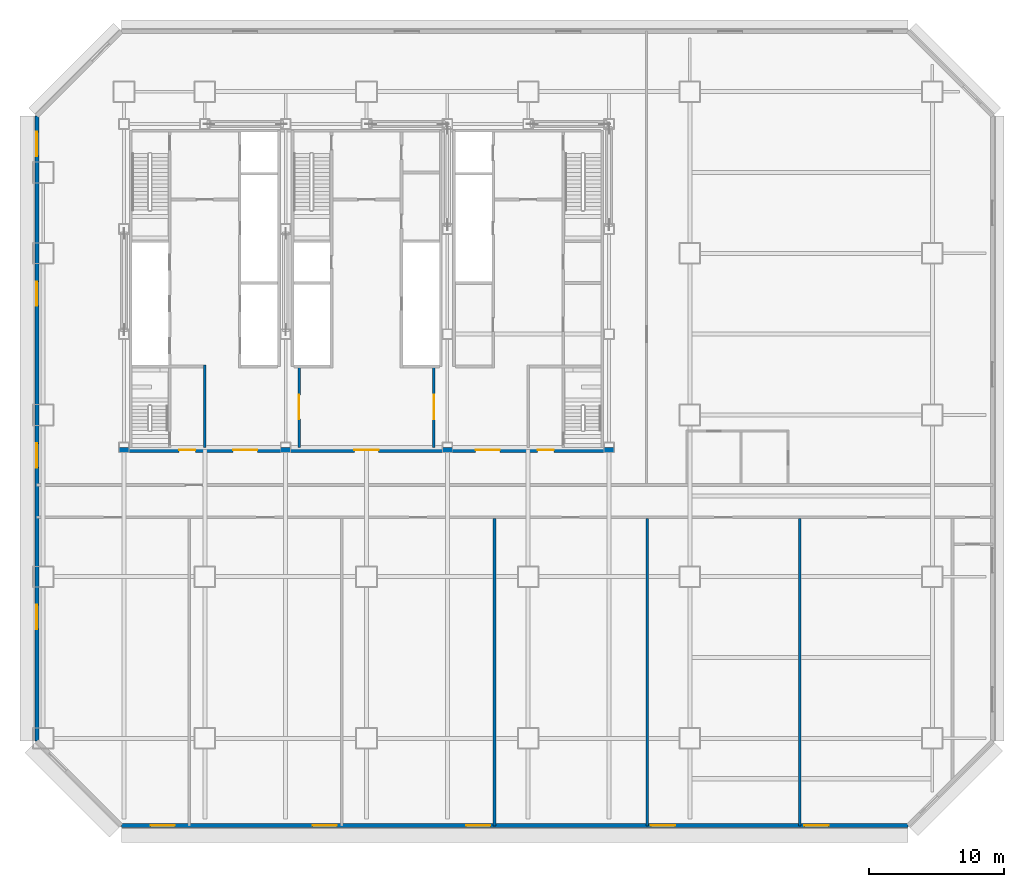
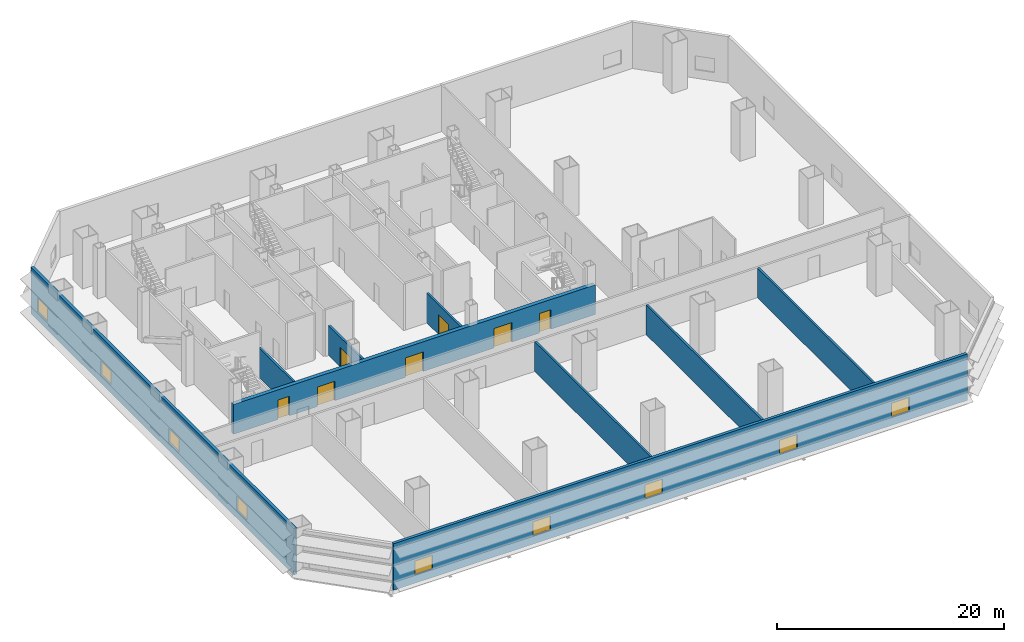
# One storey, part 3 of 10: 9 walls, 9 windows, 7 doors, 16 openings.
"""IFC4 building model written with IfcOpenShell, lengths in metres."""

from ifc_helpers import new_model, si_unit, direction, frame, frame_2d, origin, place, context, subcontext, project, spatial, rectangle, extrude, material, layer, layer_set, type_object, element, fill, save


model = new_model("IFC4")

# Units and contexts
model_context = context("Model", 3, precision=1e-05, world=origin(), true_north=direction((0.0, 1.0)))
body_context = subcontext(model_context, "Body", "Model", "MODEL_VIEW")
ifc_project = project(units=[si_unit("LENGTHUNIT", "METRE"), si_unit("AREAUNIT", "SQUARE_METRE"), si_unit("VOLUMEUNIT", "CUBIC_METRE"), si_unit("PLANEANGLEUNIT", "RADIAN"), si_unit("MASSUNIT", "GRAM", prefix="KILO")], contexts=[model_context])

# Site, building, storey
site_placement = place(None, origin())
site = spatial("IfcSite", under=ifc_project, at=site_placement, CompositionType="ELEMENT")
building_placement = place(site_placement, origin())
building = spatial("IfcBuilding", under=site, at=building_placement, Name="Sorahane Residences", CompositionType="ELEMENT")
storey_placement = place(building_placement, frame((0.0, 0.0, 15.0)))
storey = spatial("IfcBuildingStorey", under=building, at=storey_placement, Name="L01", CompositionType="ELEMENT", Elevation=15.0)

# Wall, openings, windows
ifc_material_1 = material(Name="Graphite insulated metal-clad wall")
ifc_layer_1 = layer(ifc_material_1, 0.300048828125)
ifc_layer_set_1 = layer_set([ifc_layer_1], Name="External wall insulated metal-clad 300")
wall_type_1 = type_object("IfcWallType", Name="External wall insulated metal-clad 300", PredefinedType="SOLIDWALL", material=ifc_layer_set_1)
wall_1_placement = place(storey_placement, frame((5.805419921875, -6.469970703125, 0.0), z_axis=(0.0, 0.0, 1.0), x_axis=(1.0, 0.0, 0.0)))
wall_1 = element("IfcWall", 1, at=wall_1_placement, inside=storey, type_object=wall_type_1, Name="External plant wall L01 S1", PredefinedType="SOLIDWALL", context=body_context, shape_type="SweptSolid", body=[
    extrude(rectangle(XDim=58.38916015625, YDim=0.300048828125, at=frame_2d((29.194580078125, 0.0))), origin(), (0.0, 0.0, 1.0), 5.0),
])
opening_1_placement = place(wall_1_placement, frame((2.17041015625, 0.0, 0.89990234375)))
opening_1 = element("IfcOpeningElement", 2, at=opening_1_placement, cuts=wall_1, Name="Opening W-R1", PredefinedType="OPENING", context=body_context, shape_type="SweptSolid", body=[
    extrude(rectangle(XDim=1.800048828125, YDim=1.5, at=frame_2d((0.89990234375, 0.75))), frame((0.0, 0.159912109375, 0.0), z_axis=(0.0, -1.0, 0.0), x_axis=(1.0, 0.0, 0.0)), (0.0, 0.0, 1.0), 0.320068359375),
])
opening_2_placement = place(wall_1_placement, frame((14.194580078125, 0.0, 0.89990234375)))
opening_2 = element("IfcOpeningElement", 3, at=opening_2_placement, cuts=wall_1, Name="Opening W-R1", PredefinedType="OPENING", context=body_context, shape_type="SweptSolid", body=[
    extrude(rectangle(XDim=1.800048828125, YDim=1.5, at=frame_2d((0.89990234375, 0.75))), frame((0.0, 0.159912109375, 0.0), z_axis=(0.0, -1.0, 0.0), x_axis=(1.0, 0.0, 0.0)), (0.0, 0.0, 1.0), 0.320068359375),
])
opening_3_placement = place(wall_1_placement, frame((25.5947265625, 0.0, 0.89990234375)))
opening_3 = element("IfcOpeningElement", 4, at=opening_3_placement, cuts=wall_1, Name="Opening W-R1", PredefinedType="OPENING", context=body_context, shape_type="SweptSolid", body=[
    extrude(rectangle(XDim=1.800048828125, YDim=1.5, at=frame_2d((0.89990234375, 0.75))), frame((0.0, 0.159912109375, 0.0), z_axis=(0.0, -1.0, 0.0), x_axis=(1.0, 0.0, 0.0)), (0.0, 0.0, 1.0), 0.320068359375),
])
opening_4_placement = place(wall_1_placement, frame((39.294677734375, 0.0, 0.89990234375)))
opening_4 = element("IfcOpeningElement", 5, at=opening_4_placement, cuts=wall_1, Name="Opening W-R1", PredefinedType="OPENING", context=body_context, shape_type="SweptSolid", body=[
    extrude(rectangle(XDim=1.800048828125, YDim=1.5, at=frame_2d((0.89990234375, 0.75))), frame((0.0, 0.159912109375, 0.0), z_axis=(0.0, -1.0, 0.0), x_axis=(1.0, 0.0, 0.0)), (0.0, 0.0, 1.0), 0.320068359375),
])
opening_5_placement = place(wall_1_placement, frame((50.694580078125, 0.0, 0.89990234375)))
opening_5 = element("IfcOpeningElement", 6, at=opening_5_placement, cuts=wall_1, Name="Opening W-R1", PredefinedType="OPENING", context=body_context, shape_type="SweptSolid", body=[
    extrude(rectangle(XDim=1.800048828125, YDim=1.5, at=frame_2d((0.89990234375, 0.75))), frame((0.0, 0.159912109375, 0.0), z_axis=(0.0, -1.0, 0.0), x_axis=(1.0, 0.0, 0.0)), (0.0, 0.0, 1.0), 0.320068359375),
])
ifc_material_2 = material(Name="Dark aluminium and glass", Category="aluminium")
window_type = type_object("IfcWindowType", Name="Openable Class B fire window dark aluminium 1800x1500", PartitioningType="SINGLE_PANEL", PredefinedType="WINDOW", material=ifc_material_2)
window_1_placement = place(opening_1_placement, origin())
window_1 = element("IfcWindow", 7, at=window_1_placement, inside=storey, type_object=window_type, Name="Openable fire window L01 S1.1", OverallHeight=1.5, OverallWidth=1.800048828125, PartitioningType="SINGLE_PANEL", PredefinedType="WINDOW", context=body_context, shape_type="SweptSolid", body=[
    extrude(rectangle(XDim=1.800048828125, YDim=1.5, at=frame_2d((0.89990234375, 0.75))), frame((0.0, 0.030029296875, 0.0), z_axis=(0.0, -1.0, 0.0), x_axis=(1.0, 0.0, 0.0)), (0.0, 0.0, 1.0), 0.06005859375),
])
fill(opening_1, window_1)
window_2_placement = place(opening_2_placement, origin())
window_2 = element("IfcWindow", 8, at=window_2_placement, inside=storey, type_object=window_type, Name="Openable fire window L01 S1.3", OverallHeight=1.5, OverallWidth=1.800048828125, PartitioningType="SINGLE_PANEL", PredefinedType="WINDOW", context=body_context, shape_type="SweptSolid", body=[
    extrude(rectangle(XDim=1.800048828125, YDim=1.5, at=frame_2d((0.89990234375, 0.75))), frame((0.0, 0.030029296875, 0.0), z_axis=(0.0, -1.0, 0.0), x_axis=(1.0, 0.0, 0.0)), (0.0, 0.0, 1.0), 0.06005859375),
])
fill(opening_2, window_2)
window_3_placement = place(opening_3_placement, origin())
window_3 = element("IfcWindow", 9, at=window_3_placement, inside=storey, type_object=window_type, Name="Openable fire window L01 S1.5", OverallHeight=1.5, OverallWidth=1.800048828125, PartitioningType="SINGLE_PANEL", PredefinedType="WINDOW", context=body_context, shape_type="SweptSolid", body=[
    extrude(rectangle(XDim=1.800048828125, YDim=1.5, at=frame_2d((0.89990234375, 0.75))), frame((0.0, 0.030029296875, 0.0), z_axis=(0.0, -1.0, 0.0), x_axis=(1.0, 0.0, 0.0)), (0.0, 0.0, 1.0), 0.06005859375),
])
fill(opening_3, window_3)
window_4_placement = place(opening_4_placement, origin())
window_4 = element("IfcWindow", 10, at=window_4_placement, inside=storey, type_object=window_type, Name="Openable fire window L01 S1.7", OverallHeight=1.5, OverallWidth=1.800048828125, PartitioningType="SINGLE_PANEL", PredefinedType="WINDOW", context=body_context, shape_type="SweptSolid", body=[
    extrude(rectangle(XDim=1.800048828125, YDim=1.5, at=frame_2d((0.89990234375, 0.75))), frame((0.0, 0.030029296875, 0.0), z_axis=(0.0, -1.0, 0.0), x_axis=(1.0, 0.0, 0.0)), (0.0, 0.0, 1.0), 0.06005859375),
])
fill(opening_4, window_4)
window_5_placement = place(opening_5_placement, origin())
window_5 = element("IfcWindow", 11, at=window_5_placement, inside=storey, type_object=window_type, Name="Openable fire window L01 S1.9", OverallHeight=1.5, OverallWidth=1.800048828125, PartitioningType="SINGLE_PANEL", PredefinedType="WINDOW", context=body_context, shape_type="SweptSolid", body=[
    extrude(rectangle(XDim=1.800048828125, YDim=1.5, at=frame_2d((0.89990234375, 0.75))), frame((0.0, 0.030029296875, 0.0), z_axis=(0.0, -1.0, 0.0), x_axis=(1.0, 0.0, 0.0)), (0.0, 0.0, 1.0), 0.06005859375),
])
fill(opening_5, window_5)

wall_2_placement = place(storey_placement, frame((-0.469970703125, 46.194580078125, 0.0), z_axis=(0.0, 0.0, 1.0), x_axis=(0.0, -1.0, 0.0)))
wall_2 = element("IfcWall", 12, at=wall_2_placement, inside=storey, type_object=wall_type_1, Name="External plant wall L01 W1", PredefinedType="SOLIDWALL", context=body_context, shape_type="SweptSolid", body=[
    extrude(rectangle(XDim=46.38916015625, YDim=0.300048828125, at=frame_2d((23.194580078125, 0.0))), origin(), (0.0, 0.0, 1.0), 5.0),
])
opening_6_placement = place(wall_2_placement, frame((1.17041015625, 0.0, 0.89990234375)))
opening_6 = element("IfcOpeningElement", 13, at=opening_6_placement, cuts=wall_2, Name="Opening W-R1", PredefinedType="OPENING", context=body_context, shape_type="SweptSolid", body=[
    extrude(rectangle(XDim=1.800048828125, YDim=1.5, at=frame_2d((0.89990234375, 0.75))), frame((0.0, 0.159912109375, 0.0), z_axis=(0.0, -1.0, 0.0), x_axis=(1.0, 0.0, 0.0)), (0.0, 0.0, 1.0), 0.320068359375),
])
opening_7_placement = place(wall_2_placement, frame((12.294677734375, 0.0, 0.89990234375)))
opening_7 = element("IfcOpeningElement", 14, at=opening_7_placement, cuts=wall_2, Name="Opening W-R1", PredefinedType="OPENING", context=body_context, shape_type="SweptSolid", body=[
    extrude(rectangle(XDim=1.800048828125, YDim=1.5, at=frame_2d((0.89990234375, 0.75))), frame((0.0, 0.159912109375, 0.0), z_axis=(0.0, -1.0, 0.0), x_axis=(1.0, 0.0, 0.0)), (0.0, 0.0, 1.0), 0.320068359375),
])
opening_8_placement = place(wall_2_placement, frame((24.294677734375, 0.0, 0.89990234375)))
opening_8 = element("IfcOpeningElement", 15, at=opening_8_placement, cuts=wall_2, Name="Opening W-R1", PredefinedType="OPENING", context=body_context, shape_type="SweptSolid", body=[
    extrude(rectangle(XDim=1.800048828125, YDim=1.5, at=frame_2d((0.89990234375, 0.75))), frame((0.0, 0.159912109375, 0.0), z_axis=(0.0, -1.0, 0.0), x_axis=(1.0, 0.0, 0.0)), (0.0, 0.0, 1.0), 0.320068359375),
])
opening_9_placement = place(wall_2_placement, frame((36.294677734375, 0.0, 0.89990234375)))
opening_9 = element("IfcOpeningElement", 16, at=opening_9_placement, cuts=wall_2, Name="Opening W-R1", PredefinedType="OPENING", context=body_context, shape_type="SweptSolid", body=[
    extrude(rectangle(XDim=1.800048828125, YDim=1.5, at=frame_2d((0.89990234375, 0.75))), frame((0.0, 0.159912109375, 0.0), z_axis=(0.0, -1.0, 0.0), x_axis=(1.0, 0.0, 0.0)), (0.0, 0.0, 1.0), 0.320068359375),
])
window_6_placement = place(opening_6_placement, origin())
window_6 = element("IfcWindow", 17, at=window_6_placement, inside=storey, type_object=window_type, Name="Openable fire window L01 W1.1", OverallHeight=1.5, OverallWidth=1.800048828125, PartitioningType="SINGLE_PANEL", PredefinedType="WINDOW", context=body_context, shape_type="SweptSolid", body=[
    extrude(rectangle(XDim=1.800048828125, YDim=1.5, at=frame_2d((0.89990234375, 0.75))), frame((0.0, 0.030029296875, 0.0), z_axis=(0.0, -1.0, 0.0), x_axis=(1.0, 0.0, 0.0)), (0.0, 0.0, 1.0), 0.06005859375),
])
fill(opening_6, window_6)
window_7_placement = place(opening_7_placement, origin())
window_7 = element("IfcWindow", 18, at=window_7_placement, inside=storey, type_object=window_type, Name="Openable fire window L01 W1.3", OverallHeight=1.5, OverallWidth=1.800048828125, PartitioningType="SINGLE_PANEL", PredefinedType="WINDOW", context=body_context, shape_type="SweptSolid", body=[
    extrude(rectangle(XDim=1.800048828125, YDim=1.5, at=frame_2d((0.89990234375, 0.75))), frame((0.0, 0.030029296875, 0.0), z_axis=(0.0, -1.0, 0.0), x_axis=(1.0, 0.0, 0.0)), (0.0, 0.0, 1.0), 0.06005859375),
])
fill(opening_7, window_7)
window_8_placement = place(opening_8_placement, origin())
window_8 = element("IfcWindow", 19, at=window_8_placement, inside=storey, type_object=window_type, Name="Openable fire window L01 W1.5", OverallHeight=1.5, OverallWidth=1.800048828125, PartitioningType="SINGLE_PANEL", PredefinedType="WINDOW", context=body_context, shape_type="SweptSolid", body=[
    extrude(rectangle(XDim=1.800048828125, YDim=1.5, at=frame_2d((0.89990234375, 0.75))), frame((0.0, 0.030029296875, 0.0), z_axis=(0.0, -1.0, 0.0), x_axis=(1.0, 0.0, 0.0)), (0.0, 0.0, 1.0), 0.06005859375),
])
fill(opening_8, window_8)
window_9_placement = place(opening_9_placement, origin())
window_9 = element("IfcWindow", 20, at=window_9_placement, inside=storey, type_object=window_type, Name="Openable fire window L01 W1.7", OverallHeight=1.5, OverallWidth=1.800048828125, PartitioningType="SINGLE_PANEL", PredefinedType="WINDOW", context=body_context, shape_type="SweptSolid", body=[
    extrude(rectangle(XDim=1.800048828125, YDim=1.5, at=frame_2d((0.89990234375, 0.75))), frame((0.0, 0.030029296875, 0.0), z_axis=(0.0, -1.0, 0.0), x_axis=(1.0, 0.0, 0.0)), (0.0, 0.0, 1.0), 0.06005859375),
])
fill(opening_9, window_9)

# Walls
ifc_material_3 = material(Name="Concrete C30", Category="concrete")
ifc_layer_2 = layer(ifc_material_3, 0.199951171875)
ifc_layer_set_2 = layer_set([ifc_layer_2], Name="Front room wall 200 EI 120")
wall_type_2 = type_object("IfcWallType", Name="Front room wall 200 EI 120", PredefinedType="PARTITIONING", material=ifc_layer_set_2)
wall_3_placement = place(storey_placement, frame((12.0, 21.60009765625, 0.0), z_axis=(0.0, 0.0, 1.0), x_axis=(0.0, 1.0, 0.0)))
element("IfcWall", 21, at=wall_3_placement, inside=storey, type_object=wall_type_2, Name="L01 front room wall", PredefinedType="PARTITIONING", context=body_context, shape_type="SweptSolid", body=[
    extrude(rectangle(XDim=6.099853515625, YDim=0.199951171875, at=frame_2d((3.0498046875, 0.0))), origin(), (0.0, 0.0, 1.0), 3.199951171875),
])
ifc_material_4 = material(Name="Concrete blockwork C20 wall", Category="masonry")
ifc_layer_3 = layer(ifc_material_4, 0.199951171875)
ifc_layer_set_3 = layer_set([ifc_layer_3], Name="Plant wall 200 EI 120")
wall_type_3 = type_object("IfcWallType", Name="Plant wall 200 EI 120", PredefinedType="SOLIDWALL", material=ifc_layer_set_3)
for number, where, z_axis, x_axis, name in (
    (22, (33.5, -6.5, 0.0), (0.0, 0.0, 1.0), (0.0, 1.0, 0.0), "L01 plant wall"),
    (23, (44.833251953125, -6.5, 0.0), (0.0, 0.0, 1.0), (0.0, 1.0, 0.0), "L01 plant wall"),
    (24, (56.166748046875, -6.5, 0.0), (0.0, 0.0, 1.0), (0.0, 1.0, 0.0), "L01 plant wall"),
):
    element("IfcWall", number, at=place(storey_placement, frame(where, z_axis=z_axis, x_axis=x_axis)), inside=storey, type_object=wall_type_3, Name=name, PredefinedType="SOLIDWALL", context=body_context, shape_type="SweptSolid", body=[
        extrude(rectangle(XDim=22.800048828125, YDim=0.199951171875, at=frame_2d((11.39990234375, 0.0))), origin(), (0.0, 0.0, 1.0), 3.199951171875),
    ])

# Wall, opening, door
ifc_material_5 = material(Name="Concrete C30", Category="concrete")
ifc_layer_4 = layer(ifc_material_5, 0.199951171875)
ifc_layer_set_4 = layer_set([ifc_layer_4], Name="Service room partition 200 EI 60")
wall_type_4 = type_object("IfcWallType", Name="Service room partition 200 EI 60", PredefinedType="PARTITIONING", material=ifc_layer_set_4)
wall_4_placement = place(storey_placement, frame((19.0, 21.60009765625, 0.0), z_axis=(0.0, 0.0, 1.0), x_axis=(0.0, 1.0, 0.0)))
wall_4 = element("IfcWall", 25, at=wall_4_placement, inside=storey, type_object=wall_type_4, Name="L01 service room wall", PredefinedType="PARTITIONING", context=body_context, shape_type="SweptSolid", body=[
    extrude(rectangle(XDim=6.0, YDim=0.199951171875, at=frame_2d((3.0, 0.0))), origin(), (0.0, 0.0, 1.0), 3.199951171875),
])
opening_10_placement = place(wall_4_placement, frame((2.10009765625, 0.0, 0.0)))
opening_10 = element("IfcOpeningElement", 26, at=opening_10_placement, cuts=wall_4, Name="Opening L01-C02", PredefinedType="OPENING", context=body_context, shape_type="SweptSolid", body=[
    extrude(rectangle(XDim=1.800048828125, YDim=2.10009765625, at=frame_2d((0.89990234375, 1.050048828125))), frame((0.0, 0.10986328125, 0.0), z_axis=(0.0, -1.0, 0.0), x_axis=(1.0, 0.0, 0.0)), (0.0, 0.0, 1.0), 0.219970703125),
])
ifc_material_6 = material(Name="Steel", Category="steel")
door_type_1 = type_object("IfcDoorType", Name="Waiting hall door 1800x2100 FD60", OperationType="NOTDEFINED", PredefinedType="DOOR", material=ifc_material_6)
door_1_placement = place(opening_10_placement, origin())
door_1 = element("IfcDoor", 27, at=door_1_placement, inside=storey, type_object=door_type_1, Name="Waiting hall door Residents' waiting hall west L01", OperationType="SINGLE_SWING_LEFT", OverallHeight=2.10009765625, OverallWidth=1.800048828125, PredefinedType="DOOR", context=body_context, shape_type="SweptSolid", body=[
    extrude(rectangle(XDim=1.800048828125, YDim=2.10009765625, at=frame_2d((0.89990234375, 1.050048828125))), frame((0.0, 0.02490234375, 0.0), z_axis=(0.0, -1.0, 0.0), x_axis=(1.0, 0.0, 0.0)), (0.0, 0.0, 1.0), 0.050048828125),
])
fill(opening_10, door_1)

wall_5_placement = place(storey_placement, frame((29.0, 21.60009765625, 0.0), z_axis=(0.0, 0.0, 1.0), x_axis=(0.0, 1.0, 0.0)))
wall_5 = element("IfcWall", 28, at=wall_5_placement, inside=storey, type_object=wall_type_4, Name="L01 service room wall", PredefinedType="PARTITIONING", context=body_context, shape_type="SweptSolid", body=[
    extrude(rectangle(XDim=6.0, YDim=0.199951171875, at=frame_2d((3.0, 0.0))), origin(), (0.0, 0.0, 1.0), 3.199951171875),
])
opening_11_placement = place(wall_5_placement, frame((2.10009765625, 0.0, 0.0)))
opening_11 = element("IfcOpeningElement", 29, at=opening_11_placement, cuts=wall_5, Name="Opening L01-C04", PredefinedType="OPENING", context=body_context, shape_type="SweptSolid", body=[
    extrude(rectangle(XDim=1.800048828125, YDim=2.10009765625, at=frame_2d((0.89990234375, 1.050048828125))), frame((0.0, 0.10986328125, 0.0), z_axis=(0.0, -1.0, 0.0), x_axis=(1.0, 0.0, 0.0)), (0.0, 0.0, 1.0), 0.219970703125),
])
door_2_placement = place(opening_11_placement, origin())
door_2 = element("IfcDoor", 30, at=door_2_placement, inside=storey, type_object=door_type_1, Name="Waiting hall door Residents' waiting hall centre L01", OperationType="SINGLE_SWING_LEFT", OverallHeight=2.10009765625, OverallWidth=1.800048828125, PredefinedType="DOOR", context=body_context, shape_type="SweptSolid", body=[
    extrude(rectangle(XDim=1.800048828125, YDim=2.10009765625, at=frame_2d((0.89990234375, 1.050048828125))), frame((0.0, 0.02490234375, 0.0), z_axis=(0.0, -1.0, 0.0), x_axis=(1.0, 0.0, 0.0)), (0.0, 0.0, 1.0), 0.050048828125),
])
fill(opening_11, door_2)

# Wall, openings, doors
ifc_material_7 = material(Name="Concrete C30", Category="concrete")
ifc_layer_5 = layer(ifc_material_7, 0.39990234375)
ifc_layer_set_5 = layer_set([ifc_layer_5], Name="Waiting hall wall 400 EI 120")
wall_type_5 = type_object("IfcWallType", Name="Waiting hall wall 400 EI 120", PredefinedType="SOLIDWALL", material=ifc_layer_set_5)
wall_6_placement = place(storey_placement, frame((5.60009765625, 21.39990234375, 0.0), z_axis=(0.0, 0.0, 1.0), x_axis=(1.0, 0.0, 0.0)))
wall_6 = element("IfcWall", 31, at=wall_6_placement, inside=storey, type_object=wall_type_5, Name="L01 waiting hall wall", PredefinedType="SOLIDWALL", context=body_context, shape_type="SweptSolid", body=[
    extrude(rectangle(XDim=36.7998046875, YDim=0.39990234375, at=frame_2d((18.39990234375, 0.0))), origin(), (0.0, 0.0, 1.0), 3.199951171875),
])
opening_12_placement = place(wall_6_placement, frame((8.5, 0.0, 0.0)))
opening_12 = element("IfcOpeningElement", 32, at=opening_12_placement, cuts=wall_6, Name="Opening L01-C01", PredefinedType="OPENING", context=body_context, shape_type="SweptSolid", body=[
    extrude(rectangle(XDim=1.800048828125, YDim=2.10009765625, at=frame_2d((0.89990234375, 1.050048828125))), frame((0.0, 0.2099609375, 0.0), z_axis=(0.0, -1.0, 0.0), x_axis=(1.0, 0.0, 0.0)), (0.0, 0.0, 1.0), 0.419921875),
])
opening_13_placement = place(wall_6_placement, frame((17.5, 0.0, 0.0)))
opening_13 = element("IfcOpeningElement", 33, at=opening_13_placement, cuts=wall_6, Name="Opening L01-C03", PredefinedType="OPENING", context=body_context, shape_type="SweptSolid", body=[
    extrude(rectangle(XDim=1.800048828125, YDim=2.10009765625, at=frame_2d((0.89990234375, 1.050048828125))), frame((0.0, 0.2099609375, 0.0), z_axis=(0.0, -1.0, 0.0), x_axis=(1.0, 0.0, 0.0)), (0.0, 0.0, 1.0), 0.419921875),
])
opening_14_placement = place(wall_6_placement, frame((26.5, 0.0, 0.0)))
opening_14 = element("IfcOpeningElement", 34, at=opening_14_placement, cuts=wall_6, Name="Opening L01-C05", PredefinedType="OPENING", context=body_context, shape_type="SweptSolid", body=[
    extrude(rectangle(XDim=1.800048828125, YDim=2.10009765625, at=frame_2d((0.89990234375, 1.050048828125))), frame((0.0, 0.2099609375, 0.0), z_axis=(0.0, -1.0, 0.0), x_axis=(1.0, 0.0, 0.0)), (0.0, 0.0, 1.0), 0.419921875),
])
opening_15_placement = place(wall_6_placement, frame((4.5, 0.0, 0.0)))
opening_15 = element("IfcOpeningElement", 35, at=opening_15_placement, cuts=wall_6, Name="Opening L01-C06", PredefinedType="OPENING", context=body_context, shape_type="SweptSolid", body=[
    extrude(rectangle(XDim=1.199951171875, YDim=2.10009765625, at=frame_2d((0.60009765625, 1.050048828125))), frame((0.0, 0.2099609375, 0.0), z_axis=(0.0, -1.0, 0.0), x_axis=(1.0, 0.0, 0.0)), (0.0, 0.0, 1.0), 0.419921875),
])
opening_16_placement = place(wall_6_placement, frame((31.10009765625, 0.0, 0.0)))
opening_16 = element("IfcOpeningElement", 36, at=opening_16_placement, cuts=wall_6, Name="Opening L01-C07", PredefinedType="OPENING", context=body_context, shape_type="SweptSolid", body=[
    extrude(rectangle(XDim=1.199951171875, YDim=2.10009765625, at=frame_2d((0.60009765625, 1.050048828125))), frame((0.0, 0.2099609375, 0.0), z_axis=(0.0, -1.0, 0.0), x_axis=(1.0, 0.0, 0.0)), (0.0, 0.0, 1.0), 0.419921875),
])
ifc_material_8 = material(Name="Steel", Category="steel")
door_type_2 = type_object("IfcDoorType", Name="Stair front room door 1200x2100 FD120", OperationType="NOTDEFINED", PredefinedType="DOOR", material=ifc_material_8)
door_3_placement = place(opening_15_placement, frame((1.199951171875, 0.0, 0.0), z_axis=(0.0, 0.0, 1.0), x_axis=(-1.0, 0.0, 0.0)))
door_3 = element("IfcDoor", 37, at=door_3_placement, inside=storey, type_object=door_type_2, Name="Stair front room door Stair S4 front room L01", OperationType="SINGLE_SWING_LEFT", OverallHeight=2.10009765625, OverallWidth=1.199951171875, PredefinedType="DOOR", context=body_context, shape_type="SweptSolid", body=[
    extrude(rectangle(XDim=1.199951171875, YDim=2.10009765625, at=frame_2d((0.60009765625, 1.050048828125))), frame((0.0, 0.02490234375, 0.0), z_axis=(0.0, -1.0, 0.0), x_axis=(1.0, 0.0, 0.0)), (0.0, 0.0, 1.0), 0.050048828125),
])
fill(opening_15, door_3)
door_4_placement = place(opening_16_placement, frame((1.199951171875, 0.0, 0.0), z_axis=(0.0, 0.0, 1.0), x_axis=(-1.0, 0.0, 0.0)))
door_4 = element("IfcDoor", 38, at=door_4_placement, inside=storey, type_object=door_type_2, Name="Stair front room door Stair S5 front room L01", OperationType="SINGLE_SWING_LEFT", OverallHeight=2.10009765625, OverallWidth=1.199951171875, PredefinedType="DOOR", context=body_context, shape_type="SweptSolid", body=[
    extrude(rectangle(XDim=1.199951171875, YDim=2.10009765625, at=frame_2d((0.60009765625, 1.050048828125))), frame((0.0, 0.02490234375, 0.0), z_axis=(0.0, -1.0, 0.0), x_axis=(1.0, 0.0, 0.0)), (0.0, 0.0, 1.0), 0.050048828125),
])
fill(opening_16, door_4)
door_5_placement = place(opening_12_placement, frame((1.800048828125, 0.0, 0.0), z_axis=(0.0, 0.0, 1.0), x_axis=(-1.0, 0.0, 0.0)))
door_5 = element("IfcDoor", 39, at=door_5_placement, inside=storey, type_object=door_type_1, Name="Waiting hall door Residents' waiting hall west L01", OperationType="SINGLE_SWING_LEFT", OverallHeight=2.10009765625, OverallWidth=1.800048828125, PredefinedType="DOOR", context=body_context, shape_type="SweptSolid", body=[
    extrude(rectangle(XDim=1.800048828125, YDim=2.10009765625, at=frame_2d((0.89990234375, 1.050048828125))), frame((0.0, 0.02490234375, 0.0), z_axis=(0.0, -1.0, 0.0), x_axis=(1.0, 0.0, 0.0)), (0.0, 0.0, 1.0), 0.050048828125),
])
fill(opening_12, door_5)
door_6_placement = place(opening_13_placement, frame((1.800048828125, 0.0, 0.0), z_axis=(0.0, 0.0, 1.0), x_axis=(-1.0, 0.0, 0.0)))
door_6 = element("IfcDoor", 40, at=door_6_placement, inside=storey, type_object=door_type_1, Name="Waiting hall door Residents' waiting hall centre L01", OperationType="SINGLE_SWING_LEFT", OverallHeight=2.10009765625, OverallWidth=1.800048828125, PredefinedType="DOOR", context=body_context, shape_type="SweptSolid", body=[
    extrude(rectangle(XDim=1.800048828125, YDim=2.10009765625, at=frame_2d((0.89990234375, 1.050048828125))), frame((0.0, 0.02490234375, 0.0), z_axis=(0.0, -1.0, 0.0), x_axis=(1.0, 0.0, 0.0)), (0.0, 0.0, 1.0), 0.050048828125),
])
fill(opening_13, door_6)
door_7_placement = place(opening_14_placement, frame((1.800048828125, 0.0, 0.0), z_axis=(0.0, 0.0, 1.0), x_axis=(-1.0, 0.0, 0.0)))
door_7 = element("IfcDoor", 41, at=door_7_placement, inside=storey, type_object=door_type_1, Name="Waiting hall door Residents' waiting hall east L01", OperationType="SINGLE_SWING_LEFT", OverallHeight=2.10009765625, OverallWidth=1.800048828125, PredefinedType="DOOR", context=body_context, shape_type="SweptSolid", body=[
    extrude(rectangle(XDim=1.800048828125, YDim=2.10009765625, at=frame_2d((0.89990234375, 1.050048828125))), frame((0.0, 0.02490234375, 0.0), z_axis=(0.0, -1.0, 0.0), x_axis=(1.0, 0.0, 0.0)), (0.0, 0.0, 1.0), 0.050048828125),
])
fill(opening_14, door_7)

save(model, "model.ifc")
